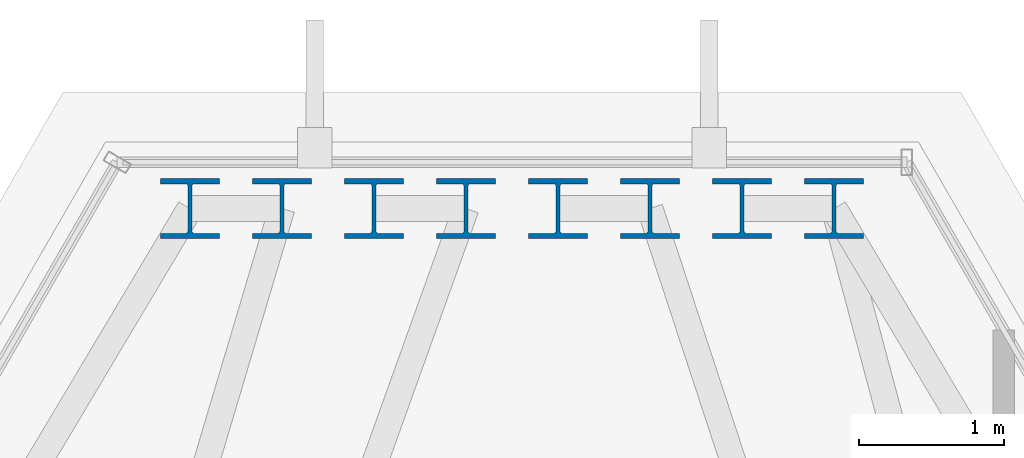
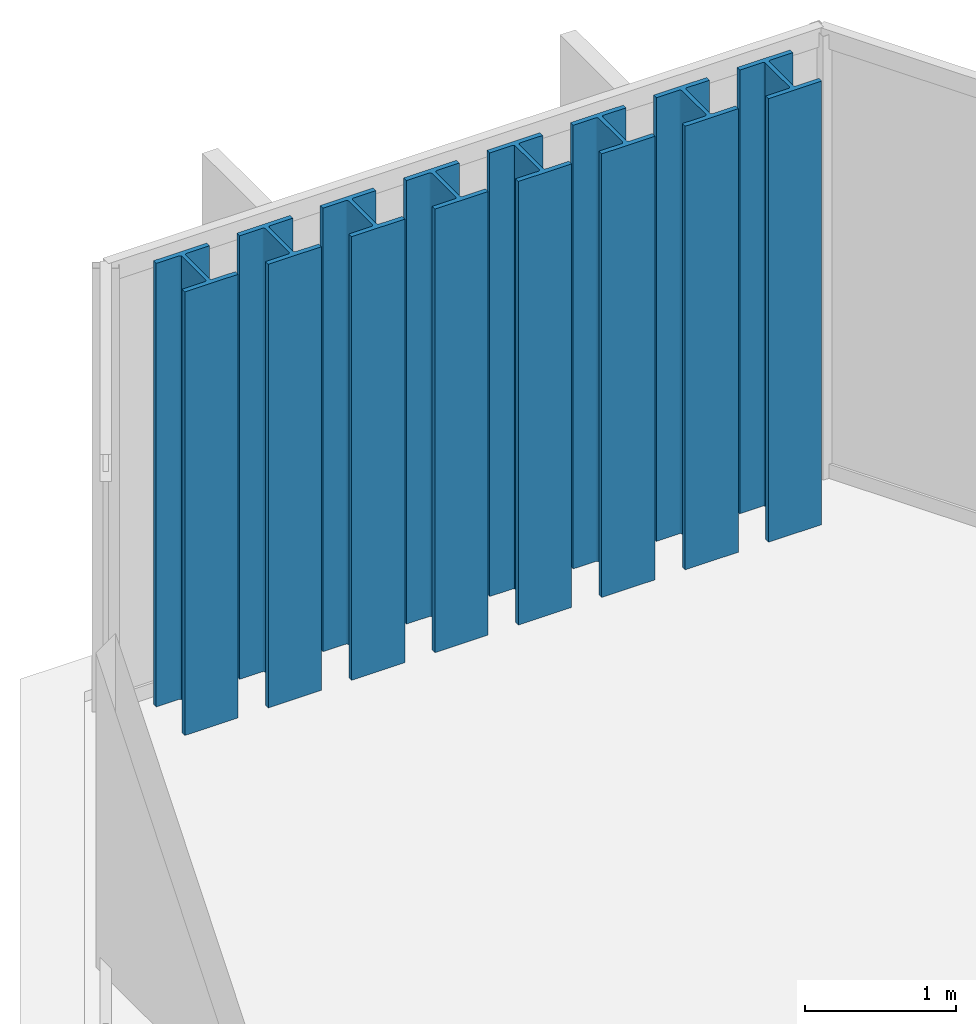
# One storey, part 2 of 34: 8 columns.
"""IFC4 building model written with IfcOpenShell, lengths in metres."""

from ifc_helpers import new_model, si_unit, direction, frame, origin, origin_2d, place, context, subcontext, project, spatial, i_section, extrude, material, material_profile, profile_set, type_object, element, save


model = new_model("IFC4")

# Units and contexts
model_context = context("Model", 3, precision=1e-05, world=origin(), true_north=direction((0.0, 1.0)))
body_context = subcontext(model_context, "Body", "Model", "MODEL_VIEW")
ifc_project = project(units=[si_unit("LENGTHUNIT", "METRE"), si_unit("AREAUNIT", "SQUARE_METRE"), si_unit("VOLUMEUNIT", "CUBIC_METRE"), si_unit("PLANEANGLEUNIT", "RADIAN"), si_unit("MASSUNIT", "GRAM", prefix="KILO")], contexts=[model_context])

# Site, building, storey
site_placement = place(None, origin())
site = spatial("IfcSite", under=ifc_project, at=site_placement, CompositionType="ELEMENT")
building_placement = place(site_placement, origin())
building = spatial("IfcBuilding", under=site, at=building_placement, Name="Ndaravel Arena Tower", CompositionType="ELEMENT")
storey_placement = place(building_placement, frame((0.0, 0.0, 263.60009765625)))
storey = spatial("IfcBuildingStorey", under=building, at=storey_placement, Name="L64", CompositionType="ELEMENT", Elevation=263.60009765625)

# Columns
ifc_material = material(Name="Steel S355", Category="steel")
ifc_material_profile = material_profile(ifc_material, i_section(OverallWidth=0.406005859375, OverallDepth=0.416015625, WebThickness=0.02978515625, FlangeThickness=0.03662109375, FilletRadius=0.014892578125, at=origin_2d()), Name="HD 400x382")
ifc_profile_set = profile_set([ifc_material_profile], Name="Steel S355")
column_type = type_object("IfcColumnType", Name="COL-TUBE-HD382", PredefinedType="COLUMN", material=ifc_profile_set)
for number, where, z_axis, x_axis, name in (
    (1, (44.227294921875, 44.038330078125, 0.0), (0.0, 0.0, 1.0), (1.0, 0.0, 0.0), "L64 Framed Tube Column TC-11"),
    (2, (43.5908203125, 44.038330078125, 0.0), (0.0, 0.0, 1.0), (1.0, 0.0, 0.0), "L64 Framed Tube Column TC-12"),
    (3, (42.95458984375, 44.038330078125, 0.0), (0.0, 0.0, 1.0), (1.0, 0.0, 0.0), "L64 Framed Tube Column TC-13"),
    (4, (42.318115234375, 44.038330078125, 0.0), (0.0, 0.0, 1.0), (1.0, 0.0, 0.0), "L64 Framed Tube Column TC-14"),
    (5, (41.681884765625, 44.038330078125, 0.0), (0.0, 0.0, 1.0), (1.0, 0.0, 0.0), "L64 Framed Tube Column TC-15"),
    (6, (41.04541015625, 44.038330078125, 0.0), (0.0, 0.0, 1.0), (1.0, 0.0, 0.0), "L64 Framed Tube Column TC-16"),
    (7, (40.4091796875, 44.038330078125, 0.0), (0.0, 0.0, 1.0), (1.0, 0.0, 0.0), "L64 Framed Tube Column TC-17"),
    (8, (39.772705078125, 44.038330078125, 0.0), (0.0, 0.0, 1.0), (1.0, 0.0, 0.0), "L64 Framed Tube Column TC-18"),
):
    element("IfcColumn", number, at=place(storey_placement, frame(where, z_axis=z_axis, x_axis=x_axis)), inside=storey, type_object=column_type, Name=name, PredefinedType="COLUMN", context=body_context, shape_type="SweptSolid", body=[
        extrude(i_section(OverallWidth=0.406005859375, OverallDepth=0.416015625, WebThickness=0.02978515625, FlangeThickness=0.03662109375, FilletRadius=0.014892578125, at=origin_2d()), origin(), (0.0, 0.0, 1.0), 3.579833984375),
    ])

save(model, "model.ifc")
